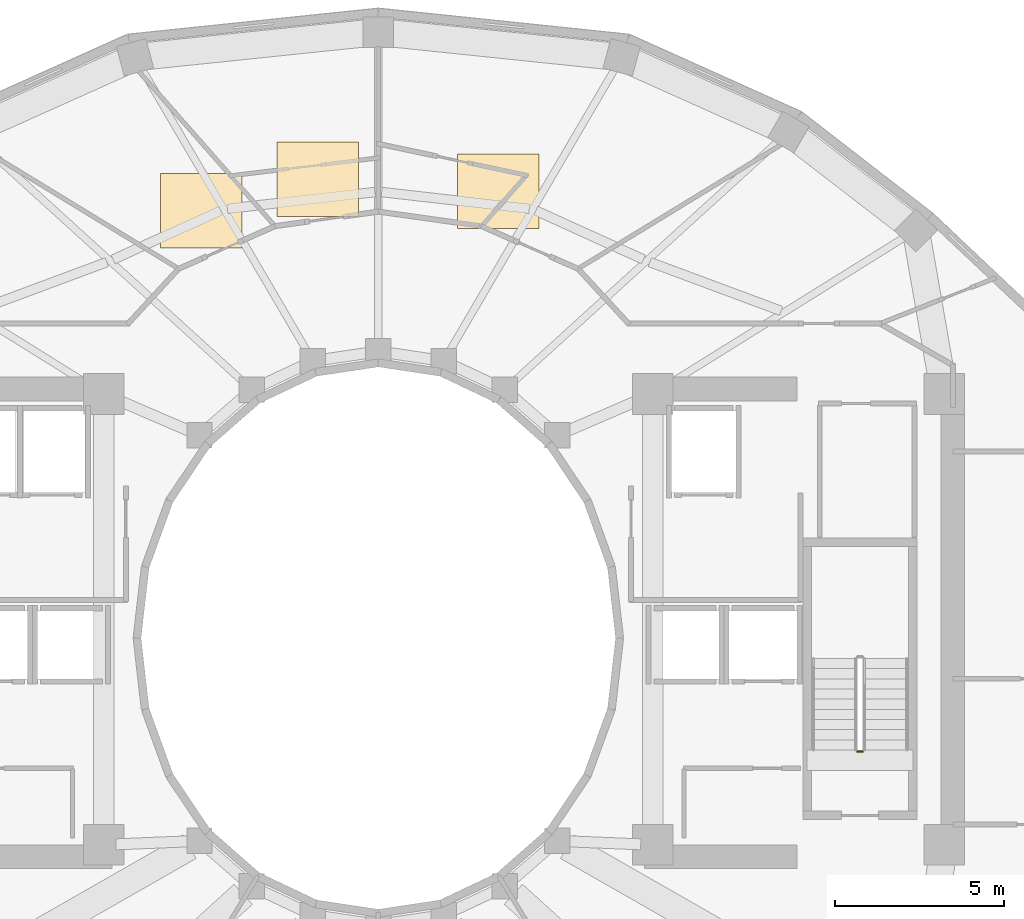
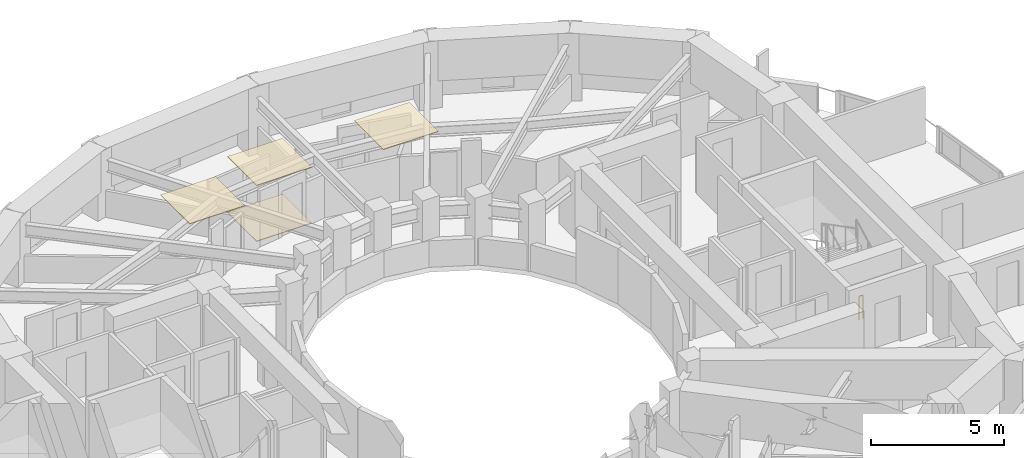
# One storey, part 12 of 13: 4 coverings, 1 railing.
"""IFC4 building model written with IfcOpenShell, lengths in metres."""

from ifc_helpers import new_model, si_unit, direction, frame, origin, origin_2d, place, context, subcontext, project, spatial, polyline, circle, outline, extrude, material, layer, layer_set, type_object, element, save


model = new_model("IFC4")

# Units and contexts
model_context = context("Model", 3, precision=1e-05, world=origin(), true_north=direction((0.0, 1.0)))
body_context = subcontext(model_context, "Body", "Model", "MODEL_VIEW")
ifc_project = project(units=[si_unit("LENGTHUNIT", "METRE"), si_unit("AREAUNIT", "SQUARE_METRE"), si_unit("VOLUMEUNIT", "CUBIC_METRE"), si_unit("PLANEANGLEUNIT", "RADIAN"), si_unit("MASSUNIT", "GRAM", prefix="KILO")], contexts=[model_context])

# Site, building, storey
site_placement = place(None, origin())
site = spatial("IfcSite", under=ifc_project, at=site_placement, CompositionType="ELEMENT")
building_placement = place(site_placement, origin())
building = spatial("IfcBuilding", under=site, at=building_placement, Name="Solvane Sanctuary Tower", CompositionType="ELEMENT")
storey_placement = place(building_placement, frame((0.0, 0.0, 149.800048828125)))
storey = spatial("IfcBuildingStorey", under=building, at=storey_placement, Name="L45", CompositionType="ELEMENT", Elevation=149.800048828125)

# Coverings
ifc_material_1 = material(Name="Acoustic Gypsum Partition Board")
ifc_layer_1 = layer(ifc_material_1, 0.02490234375, Name="Acoustic Gypsum Partition Board")
ifc_layer_set_1 = layer_set([ifc_layer_1], Name="Acoustic Gypsum Partition Board")
covering_type_1 = type_object("IfcCoveringType", Name="Covering CLG-ACOUST", PredefinedType="CEILING", material=ifc_layer_set_1)
covering_1_placement = place(storey_placement, frame((0.0, 0.0, 2.570068359375)))
element("IfcCovering", 1, at=covering_1_placement, inside=storey, type_object=covering_type_1, Name="L45 Unit Acoustic Ceiling Panel 1", PredefinedType="CEILING", context=body_context, shape_type="SweptSolid", body=[
    extrude(outline(polyline([(34.3330078125, 35.0849609375), (36.73291015625, 35.0849609375), (36.73291015625, 37.284912109375), (34.3330078125, 37.284912109375), (34.3330078125, 35.0849609375)])), origin(), (0.0, 0.0, 1.0), 0.02978515625),
])
covering_2_placement = place(storey_placement, frame((0.0, 0.0, 2.570068359375)))
element("IfcCovering", 2, at=covering_2_placement, inside=storey, type_object=covering_type_1, Name="L45 Unit Acoustic Ceiling Panel 2", PredefinedType="CEILING", context=body_context, shape_type="SweptSolid", body=[
    extrude(outline(polyline([(29.01806640625, 35.43310546875), (31.41796875, 35.43310546875), (31.41796875, 37.633056640625), (29.01806640625, 37.633056640625), (29.01806640625, 35.43310546875)])), origin(), (0.0, 0.0, 1.0), 0.02978515625),
])
covering_3_placement = place(storey_placement, frame((0.0, 0.0, 2.570068359375)))
element("IfcCovering", 3, at=covering_3_placement, inside=storey, type_object=covering_type_1, Name="L45 Unit Acoustic Ceiling Panel 3", PredefinedType="CEILING", context=body_context, shape_type="SweptSolid", body=[
    extrude(outline(polyline([(25.575927734375, 34.510986328125), (27.97607421875, 34.510986328125), (27.97607421875, 36.7109375), (25.575927734375, 36.7109375), (25.575927734375, 34.510986328125)])), origin(), (0.0, 0.0, 1.0), 0.02978515625),
])
ifc_material_2 = material(Name="Ceramic Tile Finish")
ifc_layer_2 = layer(ifc_material_2, 0.030029296875, Name="Ceramic Tile Finish")
ifc_layer_set_2 = layer_set([ifc_layer_2], Name="Ceramic Tile Finish")
covering_type_2 = type_object("IfcCoveringType", Name="Covering FLR-TERRAZZO", PredefinedType="FLOORING", material=ifc_layer_set_2)
covering_4_placement = place(storey_placement, origin())
element("IfcCovering", 4, at=covering_4_placement, inside=storey, type_object=covering_type_2, Name="L45 Unit Terrazzo Inlay 2", PredefinedType="FLOORING", context=body_context, shape_type="SweptSolid", body=[
    extrude(outline(polyline([(29.01806640625, 35.43310546875), (31.41796875, 35.43310546875), (31.41796875, 37.633056640625), (29.01806640625, 37.633056640625), (29.01806640625, 35.43310546875)])), origin(), (0.0, 0.0, 1.0), 0.034912109375),
])

# Railing
ifc_material_3 = material(Name="Architectural Stainless Steel 316", Category="steel")
railing_type = type_object("IfcRailingType", Name="Railing GR-BALC-1150", PredefinedType="BALUSTRADE", material=ifc_material_3)
railing_placement = place(storey_placement, frame((46.2900390625, 19.64990234375, 0.0)))
element("IfcRailing", 5, at=railing_placement, inside=storey, type_object=railing_type, Name="L45 ST-2 stair guard 4", PredefinedType="BALUSTRADE", context=body_context, shape_type="SweptSolid", body=[
    extrude(circle(Radius=0.02392578125, at=origin_2d()), frame((0.0, 0.0, 1.076171875), z_axis=(-1.0, 0.0, 0.0), x_axis=(0.0, -1.0, 0.0)), (0.0, 0.0, 1.0), 0.16015625),
    extrude(circle(Radius=0.02099609375, at=origin_2d()), origin(), (0.0, 0.0, 1.0), 1.052001953125),
    extrude(circle(Radius=0.02099609375, at=origin_2d()), frame((-0.16015625, 0.0, 0.0)), (0.0, 0.0, 1.0), 1.052001953125),
])

save(model, "model.ifc")
